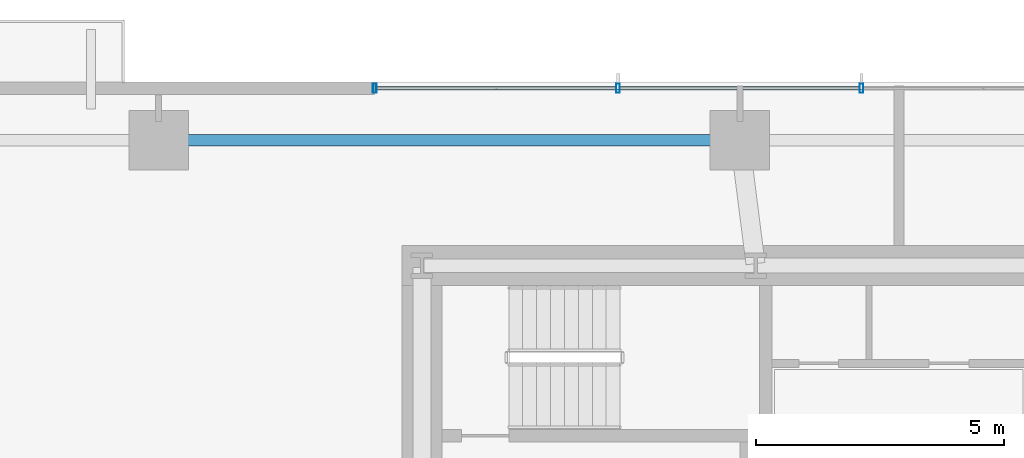
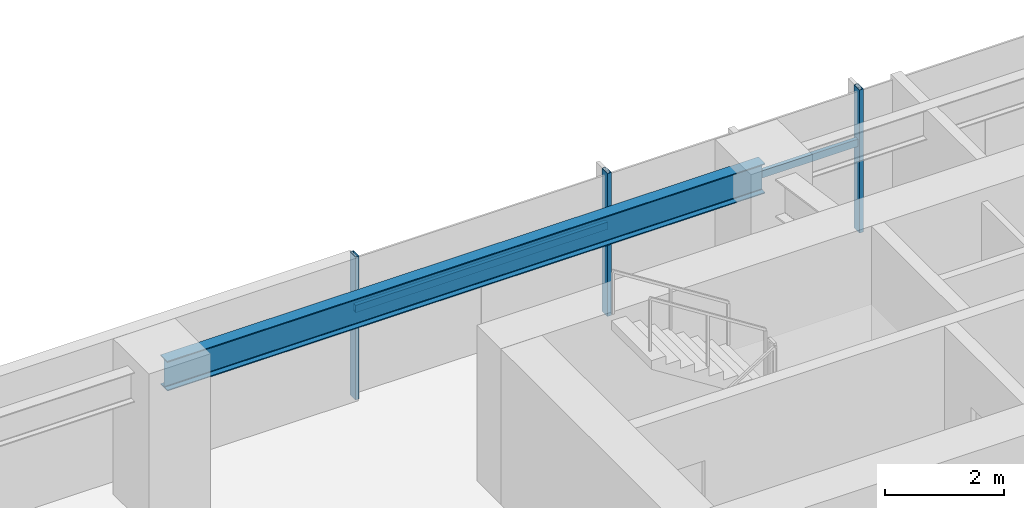
# One storey, part 10 of 25: 5 members, 1 beam, 1 element without a shape of its own.
"""IFC4 building model written with IfcOpenShell, lengths in metres."""

from ifc_helpers import new_model, si_unit, direction, frame, origin, origin_2d, place, context, subcontext, project, spatial, hollow_rectangle, i_section, extrude, source, transform, mapped, material, material_profile, profile_set, type_object, type_shapes, element, aggregate, save


model = new_model("IFC4")

# Units and contexts
model_context = context("Model", 3, precision=1e-05, world=origin(), true_north=direction((0.0, 1.0)))
body_context = subcontext(model_context, "Body", "Model", "MODEL_VIEW")
ifc_project = project(units=[si_unit("LENGTHUNIT", "METRE"), si_unit("AREAUNIT", "SQUARE_METRE"), si_unit("VOLUMEUNIT", "CUBIC_METRE"), si_unit("PLANEANGLEUNIT", "RADIAN"), si_unit("MASSUNIT", "GRAM", prefix="KILO")], contexts=[model_context])

# Site, building, storey
site_placement = place(None, origin())
site = spatial("IfcSite", under=ifc_project, at=site_placement, CompositionType="ELEMENT")
building_placement = place(site_placement, origin())
building = spatial("IfcBuilding", under=site, at=building_placement, Name="Astriad Promenade Condominiums", CompositionType="ELEMENT")
storey_placement = place(building_placement, frame((0.0, 0.0, 58.199951171875)))
storey = spatial("IfcBuildingStorey", under=building, at=storey_placement, Name="L16", CompositionType="ELEMENT", Elevation=58.199951171875)

# Beam
ifc_material_1 = material(Name="Steel ASTM A992 Grade 50", Category="steel")
ifc_material_profile_1 = material_profile(ifc_material_1, i_section(OverallWidth=0.22900390625, OverallDepth=0.612060546875, WebThickness=0.011962890625, FlangeThickness=0.01953125, FilletRadius=0.017822265625, at=origin_2d()), Name="W24X84")
ifc_profile_set_1 = profile_set([ifc_material_profile_1], Name="Steel ASTM A992 Grade 50")
beam_type = type_object("IfcBeamType", Name="STEEL SPANDREL BEAM W24X84", PredefinedType="SPANDREL", material=ifc_profile_set_1)
shared_shape_1 = source(origin(), body_context, "Body", "SweptSolid", [
    extrude(i_section(OverallWidth=0.22900390625, OverallDepth=0.612060546875, WebThickness=0.011962890625, FlangeThickness=0.01953125, FilletRadius=0.017822265625, at=origin_2d()), origin(), (0.0, 0.0, 1.0), 11.6201171875),
])
type_shapes(beam_type, [shared_shape_1])
beam_placement = place(storey_placement, frame((32.760009765625, 26.52001953125, 2.634033203125), z_axis=(-1.0, 0.0, 0.0), x_axis=(0.0, -1.0, 0.0)))
element("IfcBeam", 1, at=beam_placement, inside=storey, type_object=beam_type, Name="Perimeter Spandrel Beam SP-N2-L16", PredefinedType="SPANDREL", context=body_context, shape_type="MappedRepresentation", body=[
    mapped(shared_shape_1, transform((0.0, 0.0, 0.0), scale=1.0)),
])

# Curtain wall, members
ifc_material_2 = material(Name="Anodised aluminium Black Dark Glass Unitised", Category="aluminium")
curtain_wall_type = type_object("IfcCurtainWallType", Name="CW-B1-DARK", PredefinedType="USERDEFINED", material=ifc_material_2)
curtain_wall_placement = place(storey_placement, origin())
curtain_wall = element("IfcCurtainWall", 2, at=curtain_wall_placement, inside=storey, type_object=curtain_wall_type, Name="CW-L16-N", ObjectType="UNITISED_CURTAIN_WALL", PredefinedType="USERDEFINED")
ifc_material_3 = material(Name="Anodised aluminium 6063-T6 Black", Category="aluminium")
ifc_material_profile_2 = material_profile(ifc_material_3, hollow_rectangle(XDim=0.074951171875, YDim=0.18505859375, WallThickness=0.00439453125, at=origin_2d()), Name="ALU-MUL-75X185")
ifc_profile_set_2 = profile_set([ifc_material_profile_2], Name="Anodised aluminium 6063-T6 Black")
member_type_1 = type_object("IfcMemberType", Name="MUL-ALU-MUL-75X185", PredefinedType="MULLION", material=ifc_profile_set_2)
shared_shape_2 = source(origin(), body_context, "Body", "SweptSolid", [
    extrude(hollow_rectangle(XDim=0.074951171875, YDim=0.18505859375, WallThickness=0.00439453125, at=origin_2d()), origin(), (0.0, 0.0, 1.0), 2.93994140625),
])
type_shapes(member_type_1, [shared_shape_2])
member_1_placement = place(storey_placement, frame((25.449951171875, 27.570068359375, 0.0), z_axis=(0.0, 0.0, 1.0), x_axis=(1.0, 0.0, 0.0)))
member_1 = element("IfcMember", 3, at=member_1_placement, type_object=member_type_1, Name="CW-L16-N-MUL-00", PredefinedType="MULLION", context=body_context, shape_type="MappedRepresentation", body=[
    mapped(shared_shape_2, transform((0.0, 0.0, 0.0), scale=1.0)),
])
member_2_placement = place(storey_placement, frame((30.35009765625, 27.570068359375, 0.0), z_axis=(0.0, 0.0, 1.0), x_axis=(1.0, 0.0, 0.0)))
member_2 = element("IfcMember", 4, at=member_2_placement, type_object=member_type_1, Name="CW-L16-N-MUL-01", PredefinedType="MULLION", context=body_context, shape_type="MappedRepresentation", body=[
    mapped(shared_shape_2, transform((0.0, 0.0, 0.0), scale=1.0)),
])
member_3_placement = place(storey_placement, frame((35.25, 27.570068359375, 0.0), z_axis=(0.0, 0.0, 1.0), x_axis=(1.0, 0.0, 0.0)))
member_3 = element("IfcMember", 5, at=member_3_placement, type_object=member_type_1, Name="CW-L16-N-MUL-02", PredefinedType="MULLION", context=body_context, shape_type="MappedRepresentation", body=[
    mapped(shared_shape_2, transform((0.0, 0.0, 0.0), scale=1.0)),
])
ifc_material_profile_3 = material_profile(ifc_material_3, hollow_rectangle(XDim=0.074951171875, YDim=0.14990234375, WallThickness=0.004150390625, at=origin_2d()), Name="ALU-TRN-75X150")
ifc_profile_set_3 = profile_set([ifc_material_profile_3], Name="Anodised aluminium 6063-T6 Black")
member_type_2 = type_object("IfcMemberType", Name="TRN-ALU-TRN-75X150", PredefinedType="USERDEFINED", material=ifc_profile_set_3)
shared_shape_3 = source(origin(), body_context, "Body", "SweptSolid", [
    extrude(hollow_rectangle(XDim=0.074951171875, YDim=0.14990234375, WallThickness=0.004150390625, at=origin_2d()), origin(), (0.0, 0.0, 1.0), 4.900146484375),
])
member_4_placement = place(storey_placement, frame((25.449951171875, 27.570068359375, 1.82275390625), z_axis=(1.0, 0.0, 0.0), x_axis=(0.0, 1.0, 0.0)))
member_4 = element("IfcMember", 6, at=member_4_placement, type_object=member_type_2, Name="CW-L16-N-TRN-00-0", ObjectType="TRANSOM", PredefinedType="USERDEFINED", context=body_context, shape_type="MappedRepresentation", body=[
    mapped(shared_shape_3, transform((0.0, 0.0, 0.0), scale=1.0)),
])
shared_shape_4 = source(origin(), body_context, "Body", "SweptSolid", [
    extrude(hollow_rectangle(XDim=0.074951171875, YDim=0.14990234375, WallThickness=0.004150390625, at=origin_2d()), origin(), (0.0, 0.0, 1.0), 4.89990234375),
])
type_shapes(member_type_2, [shared_shape_3, shared_shape_4])
member_5_placement = place(storey_placement, frame((30.35009765625, 27.570068359375, 1.82275390625), z_axis=(1.0, 0.0, 0.0), x_axis=(0.0, 1.0, 0.0)))
member_5 = element("IfcMember", 7, at=member_5_placement, type_object=member_type_2, Name="CW-L16-N-TRN-01-0", ObjectType="TRANSOM", PredefinedType="USERDEFINED", context=body_context, shape_type="MappedRepresentation", body=[
    mapped(shared_shape_4, transform((0.0, 0.0, 0.0), scale=1.0)),
])
aggregate(curtain_wall, [member_1, member_2, member_3, member_4, member_5])

save(model, "model.ifc")
